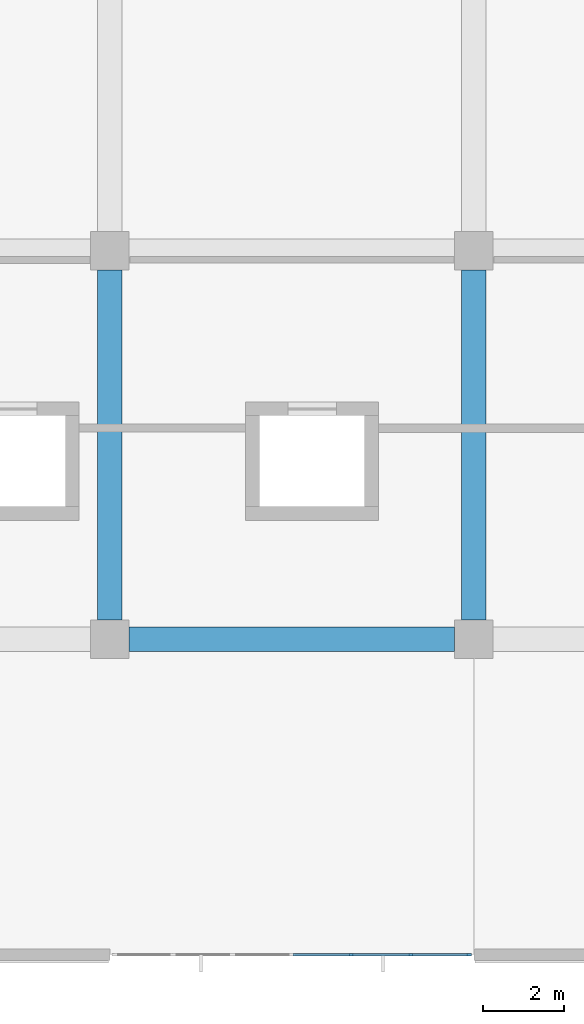
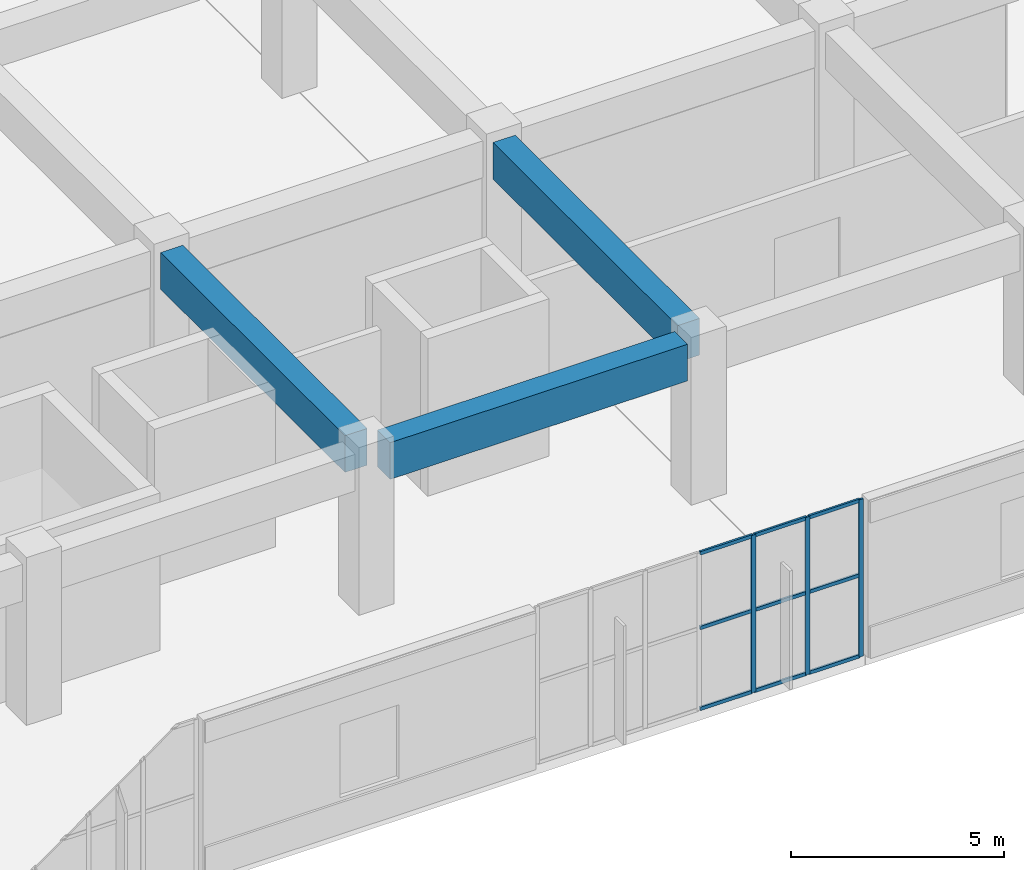
# One storey, part 19 of 86: 12 members, 3 beams, 1 element without a shape of its own.
"""IFC4 building model written with IfcOpenShell, lengths in metres."""

import ifcopenshell
import ifcopenshell.guid

model = None  # the IFC model being written
_history = None  # IfcOwnerHistory: only IFC2X3 demands one
_inside = {}  # id of a spatial element -> (the spatial element, [elements in it])
_under = {}  # id of a project, library or spatial element -> (it, [spatial elements below it])
_declared = {}  # id of a project -> (the project, [libraries it declares])
_typed = {}  # id of a type object -> (the type object, [elements of that type])
_made_of = {}  # id of a material, layer set ... -> (it, [elements and type objects made of it])


def new_model(schema):
    """Start an empty IFC model of exactly this schema.

    Asked for "IFC4X3", IfcOpenShell would pick the latest addendum, in which some entities
    have other attributes; the version numbers below select the first issue.
    IFC2X3 requires an IfcOwnerHistory on every rooted entity: one is made here for all.
    """
    global model, _history
    if schema == "IFC4X3":
        model = ifcopenshell.file(schema_version=(4, 3, 0, 0))
    else:
        model = ifcopenshell.file(schema=schema)
    _inside.clear()
    _under.clear()
    _declared.clear()
    _typed.clear()
    _made_of.clear()
    _history = None
    if model.schema == "IFC2X3":
        org = make("IfcOrganization", Name="unknown")
        user = make(
            "IfcPersonAndOrganization",
            ThePerson=make("IfcPerson", FamilyName="unknown"),
            TheOrganization=org,
        )
        app = make(
            "IfcApplication",
            ApplicationDeveloper=org,
            Version="unknown",
            ApplicationFullName="unknown",
            ApplicationIdentifier="unknown",
        )
        _history = make(
            "IfcOwnerHistory",
            OwningUser=user,
            OwningApplication=app,
            ChangeAction="ADDED",
            CreationDate=0,
        )
    return model


def make(cls, **values):
    """One entity of the class cls with the attributes given. An attribute that is None is left unset."""
    return model.create_entity(
        cls, **{name: value for name, value in values.items() if value is not None}
    )


def rooted(cls, **values):
    """An entity with a GlobalId (a new one), such as an element, a storey or a relation."""
    return make(cls, GlobalId=ifcopenshell.guid.new(), OwnerHistory=_history, **values)


def si_unit(unit_type, name, prefix=None):
    """IfcSIUnit, for example si_unit("LENGTHUNIT", "METRE", prefix="MILLI")."""
    return make("IfcSIUnit", UnitType=unit_type, Prefix=prefix, Name=name)


def assignment(units):
    """IfcUnitAssignment: the units of a project."""
    return None if units is None else make("IfcUnitAssignment", Units=units)


def point(xyz):
    """IfcCartesianPoint."""
    return None if xyz is None else make("IfcCartesianPoint", Coordinates=xyz)


def direction(xyz):
    """IfcDirection."""
    return None if xyz is None else make("IfcDirection", DirectionRatios=xyz)


def frame(location, z_axis=None, x_axis=None):
    """IfcAxis2Placement3D, a coordinate frame: its origin and axes. An axis left out is left unset."""
    return make(
        "IfcAxis2Placement3D",
        Location=point(location),
        Axis=direction(z_axis),
        RefDirection=direction(x_axis),
    )


def frame_2d(location, x_axis=None):
    """IfcAxis2Placement2D, a coordinate frame in the plane: its origin and x axis."""
    return make(
        "IfcAxis2Placement2D", Location=point(location), RefDirection=direction(x_axis)
    )


def origin():
    """The frame at (0, 0, 0) with its axes left unset."""
    return frame((0.0, 0.0, 0.0))


def origin_2d():
    """The frame at (0, 0) in the plane with its x axis left unset."""
    return frame_2d((0.0, 0.0))


def place(relative_to, where):
    """IfcLocalPlacement: puts the frame where relative to a parent placement (None: the world)."""
    return make(
        "IfcLocalPlacement", PlacementRelTo=relative_to, RelativePlacement=where
    )


def context(
    kind, dimensions, precision=None, world=None, true_north=None, identifier=None
):
    """IfcGeometricRepresentationContext, for example the 3D "Model" context."""
    return make(
        "IfcGeometricRepresentationContext",
        ContextIdentifier=identifier,
        ContextType=kind,
        CoordinateSpaceDimension=dimensions,
        Precision=precision,
        WorldCoordinateSystem=world,
        TrueNorth=true_north,
    )


def subcontext(parent, identifier, kind, view, scale=None):
    """IfcGeometricRepresentationSubContext, for example "Body" below "Model"."""
    return make(
        "IfcGeometricRepresentationSubContext",
        ContextIdentifier=identifier,
        ContextType=kind,
        ParentContext=parent,
        TargetScale=scale,
        TargetView=view,
    )


def project(units=None, contexts=None):
    """IfcProject with its units and contexts."""
    return rooted(
        "IfcProject",
        Name="project",
        RepresentationContexts=contexts,
        UnitsInContext=assignment(units),
    )


def spatial(cls, under=None, at=None, **own):
    """A site, building, storey or space (cls), placed at a placement, below another one or the project."""
    s = rooted(cls, ObjectPlacement=at, **own)
    if under is not None:
        _under.setdefault(under.id(), (under, []))[1].append(s)
    return s


def profile(cls, at=None, kind="AREA", **sizes):
    """A parametric profile (cls). Its sizes go by their IFC names, for example OverallWidth=200.0."""
    return make(cls, ProfileType=kind, Position=at, **sizes)


def rectangle(**sizes):
    """IfcRectangleProfileDef."""
    return profile("IfcRectangleProfileDef", **sizes)


def extrude(swept, where, along, depth):
    """IfcExtrudedAreaSolid: the profile swept, set in the frame where, extruded along a direction by depth."""
    return make(
        "IfcExtrudedAreaSolid",
        SweptArea=swept,
        Position=where,
        ExtrudedDirection=direction(along),
        Depth=depth,
    )


def shape(context_of_items, identifier, shape_type, items):
    """IfcShapeRepresentation: the items that make up one representation, for example the "Body"."""
    return make(
        "IfcShapeRepresentation",
        ContextOfItems=context_of_items,
        RepresentationIdentifier=identifier,
        RepresentationType=shape_type,
        Items=items,
    )


def material(Name=None, Category=None):
    """IfcMaterial."""
    return make("IfcMaterial", Name=Name, Category=Category)


def layer(
    of_material, thickness, ventilated=None, Name=None, Category=None, Priority=None
):
    """IfcMaterialLayer: one layer of a wall or slab, of a material (None: an air gap)."""
    return make(
        "IfcMaterialLayer",
        Material=of_material,
        LayerThickness=thickness,
        IsVentilated=ventilated,
        Name=Name,
        Category=Category,
        Priority=Priority,
    )


def layer_set(layers, Name=None):
    """IfcMaterialLayerSet."""
    return make("IfcMaterialLayerSet", MaterialLayers=layers, LayerSetName=Name)


def material_profile(
    of_material, cross_section, Name=None, Category=None, Priority=None
):
    """IfcMaterialProfile: a cross section and its material."""
    return make(
        "IfcMaterialProfile",
        Name=Name,
        Material=of_material,
        Profile=cross_section,
        Priority=Priority,
        Category=Category,
    )


def profile_set(profiles, Name=None, composite=None):
    """IfcMaterialProfileSet."""
    return make(
        "IfcMaterialProfileSet",
        Name=Name,
        MaterialProfiles=profiles,
        CompositeProfile=composite,
    )


def made_of(thing, what):
    """Note that an element or type object is made of a material, layer set ...; save() writes the relation."""
    if what is not None:
        _made_of.setdefault(what.id(), (what, []))[1].append(thing)
    return thing


def type_object(cls, material=None, **own):
    """A type object (cls), such as IfcWallType, which elements share."""
    return made_of(rooted(cls, **own), material)


def element(
    cls,
    number,
    at=None,
    inside=None,
    cuts=None,
    type_object=None,
    material=None,
    context=None,
    identifier="Body",
    shape_type=None,
    held_by="IfcProductDefinitionShape",
    body=None,
    shapes=None,
    **own,
):
    """One element of the class cls, such as IfcWall. Its Tag is "e" and its number.

    at: its placement. inside: the storey or other place that contains it. cuts: it is an
    opening in that element (IfcRelVoidsElement). A single representation is given by context,
    identifier, shape_type and body (its items); several are given by shapes. held_by: the class
    of the entity that holds the representations. save() writes the other relations.
    """
    e = rooted(cls, Tag="e%d" % number, ObjectPlacement=at, **own)
    if body is not None:
        shapes = [shape(context, identifier, shape_type, body)]
    if shapes is not None:
        e.Representation = make(held_by, Representations=shapes)
    if inside is not None:
        _inside.setdefault(inside.id(), (inside, []))[1].append(e)
    if cuts is not None:
        rooted(
            "IfcRelVoidsElement", RelatingBuildingElement=cuts, RelatedOpeningElement=e
        )
    if type_object is not None:
        _typed.setdefault(type_object.id(), (type_object, []))[1].append(e)
    return made_of(e, material)


def aggregate(whole, parts):
    """IfcRelAggregates: a whole, such as a stair, and the parts it consists of."""
    return rooted("IfcRelAggregates", RelatingObject=whole, RelatedObjects=parts)


def save(model, path):
    """Write the relations noted so far, then the file.

    IfcRelAggregates (storeys below a building ...), IfcRelContainedInSpatialStructure (elements
    in a storey), IfcRelDefinesByType, IfcRelAssociatesMaterial and IfcRelDeclares: one each for
    every whole, place, type object, material and project.
    """
    for whole, parts in _under.values():
        aggregate(whole, parts)
    for where, things in _inside.values():
        rooted(
            "IfcRelContainedInSpatialStructure",
            RelatedElements=things,
            RelatingStructure=where,
        )
    for kind, things in _typed.values():
        rooted("IfcRelDefinesByType", RelatedObjects=things, RelatingType=kind)
    for what, things in _made_of.values():
        rooted("IfcRelAssociatesMaterial", RelatedObjects=things, RelatingMaterial=what)
    for by, libraries in _declared.values():
        rooted("IfcRelDeclares", RelatingContext=by, RelatedDefinitions=libraries)
    model.write(path)


model = new_model("IFC4")

# Units and contexts
model_context = context("Model", 3, precision=1e-05, world=origin(), true_north=direction((0.0, 1.0)))
body_context = subcontext(model_context, "Body", "Model", "MODEL_VIEW")
ifc_project = project(units=[si_unit("LENGTHUNIT", "METRE"), si_unit("AREAUNIT", "SQUARE_METRE"), si_unit("VOLUMEUNIT", "CUBIC_METRE"), si_unit("PLANEANGLEUNIT", "RADIAN"), si_unit("MASSUNIT", "GRAM", prefix="KILO")], contexts=[model_context])

# Site, building, storey
site_placement = place(None, origin())
site = spatial("IfcSite", under=ifc_project, at=site_placement, CompositionType="ELEMENT")
building_placement = place(site_placement, origin())
building = spatial("IfcBuilding", under=site, at=building_placement, Name="Cendralis Terraced Arcade", CompositionType="ELEMENT")
storey_placement = place(building_placement, frame((0.0, 0.0, 5.39990234375)))
storey = spatial("IfcBuildingStorey", under=building, at=storey_placement, Name="L01", CompositionType="ELEMENT", Elevation=5.39990234375)

# Beams
ifc_material_1 = material(Name="Concrete f'c 35 MPa", Category="concrete")
ifc_material_profile_1 = material_profile(ifc_material_1, rectangle(XDim=0.60009765625, YDim=1.050048828125, at=origin_2d()), Name="RC-BM-600x1050", Category="LoadBearing")
ifc_profile_set_1 = profile_set([ifc_material_profile_1], Name="Concrete f'c 35 MPa")
beam_type = type_object("IfcBeamType", Name="BM-600x1050", PredefinedType="JOIST", material=ifc_profile_set_1)
beam_placement = place(storey_placement, frame((85.675048828125, 9.60009765625, 3.97998046875), z_axis=(1.0, 0.0, 0.0), x_axis=(0.0, 1.0, 0.0)))
element("IfcBeam", 1, at=beam_placement, inside=storey, type_object=beam_type, Name="Reinforced Concrete Frame Beam BM-X-L02-B-10_11", PredefinedType="JOIST", context=body_context, shape_type="SweptSolid", body=[
    extrude(rectangle(XDim=0.60009765625, YDim=1.050048828125, at=origin_2d()), origin(), (0.0, 0.0, 1.0), 8.050048828125),
])
for number, where, z_axis, x_axis, name in (
    (2, (85.199951171875, 10.074951171875, 3.97998046875), (0.0, 1.0, 0.0), (-1.0, 0.0, 0.0), "Reinforced Concrete Frame Beam BM-Y-L02-10-B_C"),
    (3, (94.199951171875, 10.074951171875, 3.97998046875), (0.0, 1.0, 0.0), (-1.0, 0.0, 0.0), "Reinforced Concrete Frame Beam BM-Y-L02-11-B_C"),
):
    element("IfcBeam", number, at=place(storey_placement, frame(where, z_axis=z_axis, x_axis=x_axis)), inside=storey, type_object=beam_type, Name=name, PredefinedType="JOIST", context=body_context, shape_type="SweptSolid", body=[
        extrude(rectangle(XDim=0.60009765625, YDim=1.050048828125, at=origin_2d()), origin(), (0.0, 0.0, 1.0), 8.650146484375),
    ])

# Curtain wall, members
ifc_material_2 = material(Name="Anodised aluminium EN AW-6063 T6", Category="aluminium")
ifc_layer = layer(ifc_material_2, 0.1201171875, Name="CW-STORE-B")
ifc_layer_set = layer_set([ifc_layer], Name="Anodised aluminium EN AW-6063 T6")
curtain_wall_type = type_object("IfcCurtainWallType", Name="CW-STORE-B", PredefinedType="USERDEFINED", material=ifc_layer_set)
curtain_wall_placement = place(storey_placement, origin())
curtain_wall = element("IfcCurtainWall", 4, at=curtain_wall_placement, inside=storey, type_object=curtain_wall_type, Name="Exterior Storefront Glazing CW-L01-0091", ObjectType="STOREFRONT GLAZING", PredefinedType="USERDEFINED")
ifc_material_profile_2 = material_profile(ifc_material_2, rectangle(XDim=0.054931640625, YDim=0.1201171875, at=origin_2d()), Name="ALU-MUL-55x120")
ifc_profile_set_2 = profile_set([ifc_material_profile_2], Name="Anodised aluminium EN AW-6063 T6")
member_type_1 = type_object("IfcMemberType", Name="CW-STORE-B-MUL", PredefinedType="MULLION", material=ifc_profile_set_2)
member_1_placement = place(storey_placement, frame((94.08251953125, 1.800048828125, 0.0), z_axis=(0.0, 0.0, 1.0), x_axis=(0.0, -1.0, 0.0)))
member_1 = element("IfcMember", 5, at=member_1_placement, type_object=member_type_1, Name="CW-S2 mullion 1", PredefinedType="MULLION", context=body_context, shape_type="SweptSolid", body=[
    extrude(rectangle(XDim=0.054931640625, YDim=0.1201171875, at=origin_2d()), origin(), (0.0, 0.0, 1.0), 4.505126953125),
])
member_2_placement = place(storey_placement, frame((92.639892578125, 1.800048828125, 0.0), z_axis=(0.0, 0.0, 1.0), x_axis=(0.0, -1.0, 0.0)))
member_2 = element("IfcMember", 6, at=member_2_placement, type_object=member_type_1, Name="CW-S2 mullion 2", PredefinedType="MULLION", context=body_context, shape_type="SweptSolid", body=[
    extrude(rectangle(XDim=0.054931640625, YDim=0.1201171875, at=origin_2d()), origin(), (0.0, 0.0, 1.0), 4.505126953125),
])
member_3_placement = place(storey_placement, frame((91.169921875, 1.800048828125, 0.0), z_axis=(0.0, 0.0, 1.0), x_axis=(0.0, -1.0, 0.0)))
member_3 = element("IfcMember", 7, at=member_3_placement, type_object=member_type_1, Name="CW-S2 mullion 3", PredefinedType="MULLION", context=body_context, shape_type="SweptSolid", body=[
    extrude(rectangle(XDim=0.054931640625, YDim=0.1201171875, at=origin_2d()), origin(), (0.0, 0.0, 1.0), 4.505126953125),
])
ifc_material_profile_3 = material_profile(ifc_material_2, rectangle(XDim=0.054931640625, YDim=0.10009765625, at=origin_2d()), Name="ALU-TRN-55x100")
ifc_profile_set_3 = profile_set([ifc_material_profile_3], Name="Anodised aluminium EN AW-6063 T6")
member_type_2 = type_object("IfcMemberType", Name="CW-STORE-B-TRN", PredefinedType="USERDEFINED", material=ifc_profile_set_3)
member_4_placement = place(storey_placement, frame((94.054931640625, 1.800048828125, 0.027587890625), z_axis=(-1.0, 0.0, 0.0), x_axis=(0.0, -1.0, 0.0)))
member_4 = element("IfcMember", 8, at=member_4_placement, type_object=member_type_2, Name="CW-S2 transom 1.1", ObjectType="TRANSOM", PredefinedType="USERDEFINED", context=body_context, shape_type="SweptSolid", body=[
    extrude(rectangle(XDim=0.054931640625, YDim=0.10009765625, at=origin_2d()), origin(), (0.0, 0.0, 1.0), 1.387451171875),
])
member_5_placement = place(storey_placement, frame((94.054931640625, 1.800048828125, 2.3427734375), z_axis=(-1.0, 0.0, 0.0), x_axis=(0.0, -1.0, 0.0)))
member_5 = element("IfcMember", 9, at=member_5_placement, type_object=member_type_2, Name="CW-S2 transom 1.2", ObjectType="TRANSOM", PredefinedType="USERDEFINED", context=body_context, shape_type="SweptSolid", body=[
    extrude(rectangle(XDim=0.054931640625, YDim=0.10009765625, at=origin_2d()), origin(), (0.0, 0.0, 1.0), 1.387451171875),
])
member_6_placement = place(storey_placement, frame((94.054931640625, 1.800048828125, 4.4775390625), z_axis=(-1.0, 0.0, 0.0), x_axis=(0.0, -1.0, 0.0)))
member_6 = element("IfcMember", 10, at=member_6_placement, type_object=member_type_2, Name="CW-S2 transom 1.3", ObjectType="TRANSOM", PredefinedType="USERDEFINED", context=body_context, shape_type="SweptSolid", body=[
    extrude(rectangle(XDim=0.054931640625, YDim=0.10009765625, at=origin_2d()), origin(), (0.0, 0.0, 1.0), 1.387451171875),
])
member_7_placement = place(storey_placement, frame((92.612548828125, 1.800048828125, 0.027587890625), z_axis=(-1.0, 0.0, 0.0), x_axis=(0.0, -1.0, 0.0)))
member_7 = element("IfcMember", 11, at=member_7_placement, type_object=member_type_2, Name="CW-S2 transom 2.1", ObjectType="TRANSOM", PredefinedType="USERDEFINED", context=body_context, shape_type="SweptSolid", body=[
    extrude(rectangle(XDim=0.054931640625, YDim=0.10009765625, at=origin_2d()), origin(), (0.0, 0.0, 1.0), 1.4150390625),
])
member_8_placement = place(storey_placement, frame((92.612548828125, 1.800048828125, 2.3427734375), z_axis=(-1.0, 0.0, 0.0), x_axis=(0.0, -1.0, 0.0)))
member_8 = element("IfcMember", 12, at=member_8_placement, type_object=member_type_2, Name="CW-S2 transom 2.2", ObjectType="TRANSOM", PredefinedType="USERDEFINED", context=body_context, shape_type="SweptSolid", body=[
    extrude(rectangle(XDim=0.054931640625, YDim=0.10009765625, at=origin_2d()), origin(), (0.0, 0.0, 1.0), 1.4150390625),
])
member_9_placement = place(storey_placement, frame((92.612548828125, 1.800048828125, 4.4775390625), z_axis=(-1.0, 0.0, 0.0), x_axis=(0.0, -1.0, 0.0)))
member_9 = element("IfcMember", 13, at=member_9_placement, type_object=member_type_2, Name="CW-S2 transom 2.3", ObjectType="TRANSOM", PredefinedType="USERDEFINED", context=body_context, shape_type="SweptSolid", body=[
    extrude(rectangle(XDim=0.054931640625, YDim=0.10009765625, at=origin_2d()), origin(), (0.0, 0.0, 1.0), 1.4150390625),
])
member_10_placement = place(storey_placement, frame((91.142578125, 1.800048828125, 0.027587890625), z_axis=(-1.0, 0.0, 0.0), x_axis=(0.0, -1.0, 0.0)))
member_10 = element("IfcMember", 14, at=member_10_placement, type_object=member_type_2, Name="CW-S2 transom 3.1", ObjectType="TRANSOM", PredefinedType="USERDEFINED", context=body_context, shape_type="SweptSolid", body=[
    extrude(rectangle(XDim=0.054931640625, YDim=0.10009765625, at=origin_2d()), origin(), (0.0, 0.0, 1.0), 1.4150390625),
])
member_11_placement = place(storey_placement, frame((91.142578125, 1.800048828125, 2.3427734375), z_axis=(-1.0, 0.0, 0.0), x_axis=(0.0, -1.0, 0.0)))
member_11 = element("IfcMember", 15, at=member_11_placement, type_object=member_type_2, Name="CW-S2 transom 3.2", ObjectType="TRANSOM", PredefinedType="USERDEFINED", context=body_context, shape_type="SweptSolid", body=[
    extrude(rectangle(XDim=0.054931640625, YDim=0.10009765625, at=origin_2d()), origin(), (0.0, 0.0, 1.0), 1.4150390625),
])
member_12_placement = place(storey_placement, frame((91.142578125, 1.800048828125, 4.4775390625), z_axis=(-1.0, 0.0, 0.0), x_axis=(0.0, -1.0, 0.0)))
member_12 = element("IfcMember", 16, at=member_12_placement, type_object=member_type_2, Name="CW-S2 transom 3.3", ObjectType="TRANSOM", PredefinedType="USERDEFINED", context=body_context, shape_type="SweptSolid", body=[
    extrude(rectangle(XDim=0.054931640625, YDim=0.10009765625, at=origin_2d()), origin(), (0.0, 0.0, 1.0), 1.4150390625),
])
aggregate(curtain_wall, [member_1, member_2, member_3, member_4, member_5, member_6, member_7, member_8, member_9, member_10, member_11, member_12])

save(model, "model.ifc")
